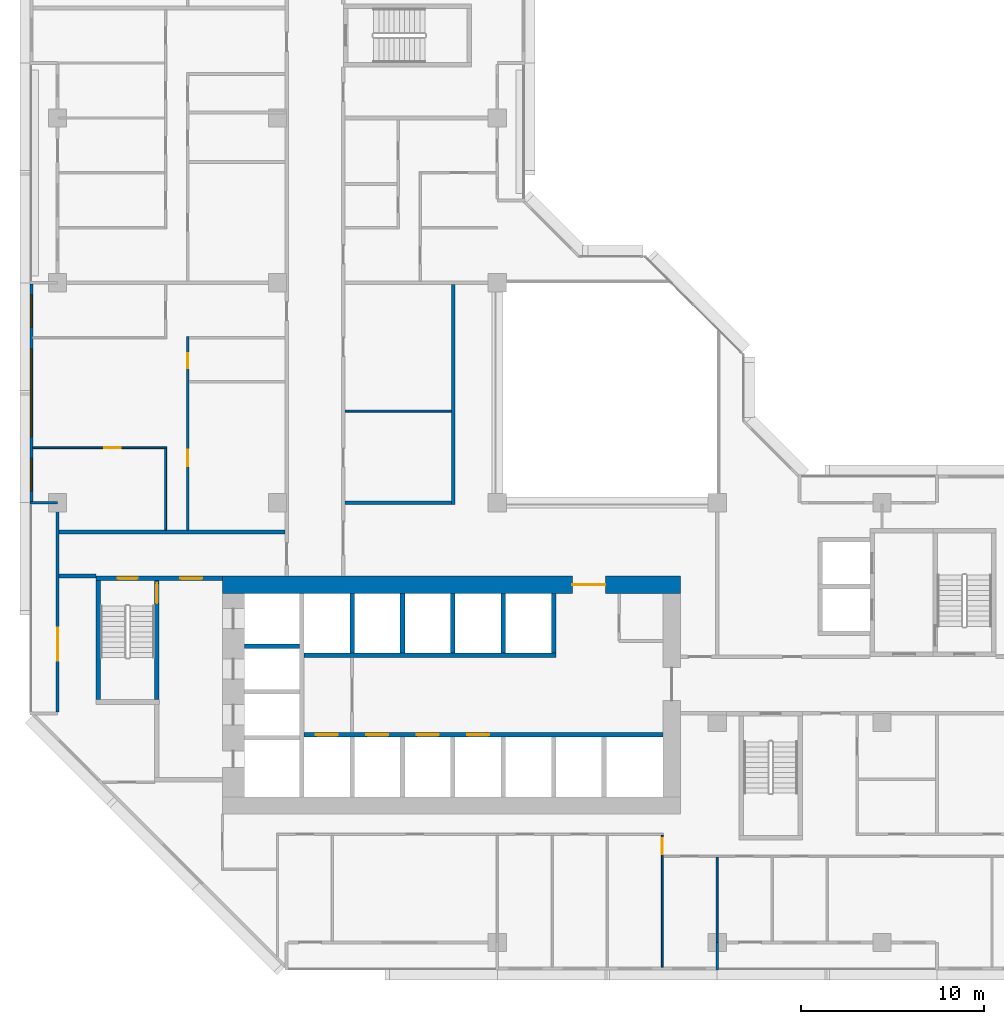
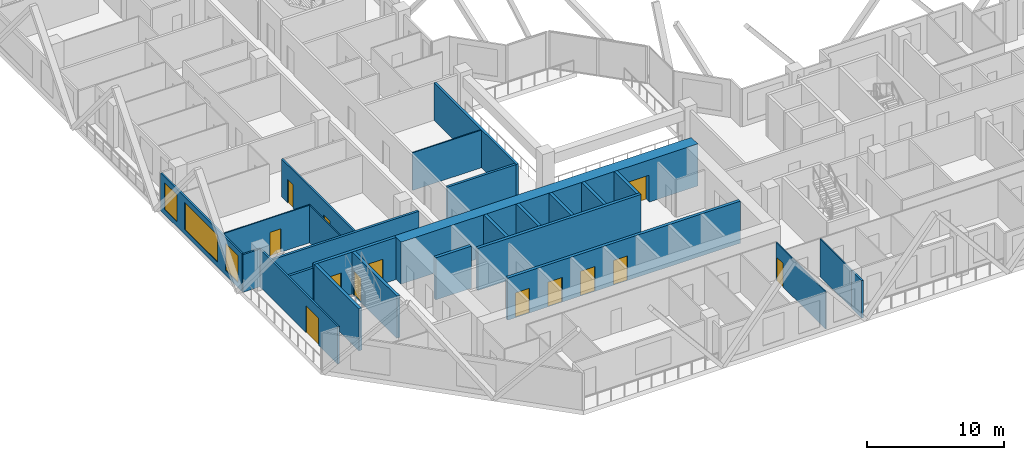
# One storey, part 5 of 16: 26 walls, 13 doors, 3 windows, 16 openings.
"""IFC4 building model written with IfcOpenShell, lengths in metres."""

from ifc_helpers import new_model, si_unit, direction, frame, frame_2d, origin, place, context, subcontext, project, spatial, rectangle, extrude, material, layer, layer_set, type_object, element, fill, save


model = new_model("IFC4")

# Units and contexts
model_context = context("Model", 3, precision=1e-05, world=origin(), true_north=direction((0.0, 1.0)))
body_context = subcontext(model_context, "Body", "Model", "MODEL_VIEW")
ifc_project = project(units=[si_unit("LENGTHUNIT", "METRE"), si_unit("AREAUNIT", "SQUARE_METRE"), si_unit("VOLUMEUNIT", "CUBIC_METRE"), si_unit("PLANEANGLEUNIT", "RADIAN"), si_unit("MASSUNIT", "GRAM", prefix="KILO")], contexts=[model_context])

# Site, building, storey
site_placement = place(None, origin())
site = spatial("IfcSite", under=ifc_project, at=site_placement, CompositionType="ELEMENT")
building_placement = place(site_placement, origin())
building = spatial("IfcBuilding", under=site, at=building_placement, Name="Chenar Terraces", CompositionType="ELEMENT")
storey_placement = place(building_placement, frame((0.0, 0.0, 99.39990234375)))
storey = spatial("IfcBuildingStorey", under=building, at=storey_placement, Name="L22", CompositionType="ELEMENT", Elevation=99.39990234375)

# Wall, openings, doors
ifc_material_1 = material(Name="Concrete C70/85", Category="concrete")
ifc_layer_1 = layer(ifc_material_1, 0.25)
ifc_layer_set_1 = layer_set([ifc_layer_1], Name="Concrete C70/85")
wall_type_1 = type_object("IfcWallType", Name="Core wall 250 Concrete C70/85", PredefinedType="SHEAR", material=ifc_layer_set_1)
wall_1_placement = place(storey_placement, frame((13.449951171875, 11.324951171875, 0.0), z_axis=(0.0, 0.0, 1.0), x_axis=(1.0, 0.0, 0.0)))
wall_1 = element("IfcWall", 1, at=wall_1_placement, inside=storey, type_object=wall_type_1, Name="Core wall SF L22", PredefinedType="SHEAR", context=body_context, shape_type="SweptSolid", body=[
    extrude(rectangle(XDim=19.60009765625, YDim=0.25, at=frame_2d((9.800048828125, 0.0))), origin(), (0.0, 0.0, 1.0), 3.75),
])
opening_1_placement = place(wall_1_placement, frame((0.64990234375, 0.0, 0.0)))
opening_1 = element("IfcOpeningElement", 2, at=opening_1_placement, cuts=wall_1, Name="Opening DL22-LD1", PredefinedType="OPENING", context=body_context, shape_type="SweptSolid", body=[
    extrude(rectangle(XDim=1.199951171875, YDim=2.199951171875, at=frame_2d((0.60009765625, 1.10009765625))), frame((0.0, 0.135009765625, 0.0), z_axis=(0.0, -1.0, 0.0), x_axis=(1.0, 0.0, 0.0)), (0.0, 0.0, 1.0), 0.27001953125),
])
opening_2_placement = place(wall_1_placement, frame((3.39990234375, 0.0, 0.0)))
opening_2 = element("IfcOpeningElement", 3, at=opening_2_placement, cuts=wall_1, Name="Opening DL22-LD2", PredefinedType="OPENING", context=body_context, shape_type="SweptSolid", body=[
    extrude(rectangle(XDim=1.199951171875, YDim=2.199951171875, at=frame_2d((0.60009765625, 1.10009765625))), frame((0.0, 0.135009765625, 0.0), z_axis=(0.0, -1.0, 0.0), x_axis=(1.0, 0.0, 0.0)), (0.0, 0.0, 1.0), 0.27001953125),
])
opening_3_placement = place(wall_1_placement, frame((6.14990234375, 0.0, 0.0)))
opening_3 = element("IfcOpeningElement", 4, at=opening_3_placement, cuts=wall_1, Name="Opening DL22-LD3", PredefinedType="OPENING", context=body_context, shape_type="SweptSolid", body=[
    extrude(rectangle(XDim=1.199951171875, YDim=2.199951171875, at=frame_2d((0.60009765625, 1.10009765625))), frame((0.0, 0.135009765625, 0.0), z_axis=(0.0, -1.0, 0.0), x_axis=(1.0, 0.0, 0.0)), (0.0, 0.0, 1.0), 0.27001953125),
])
opening_4_placement = place(wall_1_placement, frame((8.89990234375, 0.0, 0.0)))
opening_4 = element("IfcOpeningElement", 5, at=opening_4_placement, cuts=wall_1, Name="Opening DL22-LD4", PredefinedType="OPENING", context=body_context, shape_type="SweptSolid", body=[
    extrude(rectangle(XDim=1.199951171875, YDim=2.199951171875, at=frame_2d((0.60009765625, 1.10009765625))), frame((0.0, 0.135009765625, 0.0), z_axis=(0.0, -1.0, 0.0), x_axis=(1.0, 0.0, 0.0)), (0.0, 0.0, 1.0), 0.27001953125),
])
ifc_material_2 = material(Name="Stainless steel", Category="steel")
door_type_1 = type_object("IfcDoorType", Name="Lift landing door 1200 x 2200 sliding", OperationType="DOUBLE_DOOR_SLIDING", PredefinedType="DOOR", material=ifc_material_2)
door_1_placement = place(opening_1_placement, origin())
door_1 = element("IfcDoor", 6, at=door_1_placement, inside=storey, type_object=door_type_1, Name="Landing door L1", OperationType="DOUBLE_DOOR_SLIDING", OverallHeight=2.199951171875, OverallWidth=1.199951171875, PredefinedType="DOOR", context=body_context, shape_type="SweptSolid", body=[
    extrude(rectangle(XDim=1.199951171875, YDim=2.199951171875, at=frame_2d((0.60009765625, 1.10009765625))), frame((0.0, 0.02490234375, 0.0), z_axis=(0.0, -1.0, 0.0), x_axis=(1.0, 0.0, 0.0)), (0.0, 0.0, 1.0), 0.050048828125),
])
fill(opening_1, door_1)
door_2_placement = place(opening_2_placement, origin())
door_2 = element("IfcDoor", 7, at=door_2_placement, inside=storey, type_object=door_type_1, Name="Landing door L2", OperationType="DOUBLE_DOOR_SLIDING", OverallHeight=2.199951171875, OverallWidth=1.199951171875, PredefinedType="DOOR", context=body_context, shape_type="SweptSolid", body=[
    extrude(rectangle(XDim=1.199951171875, YDim=2.199951171875, at=frame_2d((0.60009765625, 1.10009765625))), frame((0.0, 0.02490234375, 0.0), z_axis=(0.0, -1.0, 0.0), x_axis=(1.0, 0.0, 0.0)), (0.0, 0.0, 1.0), 0.050048828125),
])
fill(opening_2, door_2)
door_3_placement = place(opening_3_placement, origin())
door_3 = element("IfcDoor", 8, at=door_3_placement, inside=storey, type_object=door_type_1, Name="Landing door L3", OperationType="DOUBLE_DOOR_SLIDING", OverallHeight=2.199951171875, OverallWidth=1.199951171875, PredefinedType="DOOR", context=body_context, shape_type="SweptSolid", body=[
    extrude(rectangle(XDim=1.199951171875, YDim=2.199951171875, at=frame_2d((0.60009765625, 1.10009765625))), frame((0.0, 0.02490234375, 0.0), z_axis=(0.0, -1.0, 0.0), x_axis=(1.0, 0.0, 0.0)), (0.0, 0.0, 1.0), 0.050048828125),
])
fill(opening_3, door_3)
door_4_placement = place(opening_4_placement, origin())
door_4 = element("IfcDoor", 9, at=door_4_placement, inside=storey, type_object=door_type_1, Name="Landing door L4", OperationType="DOUBLE_DOOR_SLIDING", OverallHeight=2.199951171875, OverallWidth=1.199951171875, PredefinedType="DOOR", context=body_context, shape_type="SweptSolid", body=[
    extrude(rectangle(XDim=1.199951171875, YDim=2.199951171875, at=frame_2d((0.60009765625, 1.10009765625))), frame((0.0, 0.02490234375, 0.0), z_axis=(0.0, -1.0, 0.0), x_axis=(1.0, 0.0, 0.0)), (0.0, 0.0, 1.0), 0.050048828125),
])
fill(opening_4, door_4)

# Walls
wall_2_placement = place(storey_placement, frame((13.449951171875, 15.675048828125, 0.0), z_axis=(0.0, 0.0, 1.0), x_axis=(1.0, 0.0, 0.0)))
element("IfcWall", 10, at=wall_2_placement, inside=storey, type_object=wall_type_1, Name="Core wall NF L22", PredefinedType="SHEAR", context=body_context, shape_type="SweptSolid", body=[
    extrude(rectangle(XDim=13.75, YDim=0.25, at=frame_2d((6.875, 0.0))), origin(), (0.0, 0.0, 1.0), 3.75),
])
wall_3_placement = place(storey_placement, frame((10.199951171875, 16.175048828125, 0.0), z_axis=(0.0, 0.0, 1.0), x_axis=(1.0, 0.0, 0.0)))
element("IfcWall", 11, at=wall_3_placement, inside=storey, type_object=wall_type_1, Name="Core wall HW2 L22", PredefinedType="SHEAR", context=body_context, shape_type="SweptSolid", body=[
    extrude(rectangle(XDim=3.0, YDim=0.25, at=frame_2d((1.5, 0.0))), origin(), (0.0, 0.0, 1.0), 3.75),
])
for number, where, z_axis, x_axis, name in (
    (12, (16.074951171875, 15.800048828125, 0.0), (0.0, 0.0, 1.0), (0.0, 1.0, 0.0), "Core wall NS0 L22"),
    (13, (18.824951171875, 15.800048828125, 0.0), (0.0, 0.0, 1.0), (0.0, 1.0, 0.0), "Core wall NS1 L22"),
    (14, (21.574951171875, 15.800048828125, 0.0), (0.0, 0.0, 1.0), (0.0, 1.0, 0.0), "Core wall NS2 L22"),
    (15, (24.324951171875, 15.800048828125, 0.0), (0.0, 0.0, 1.0), (0.0, 1.0, 0.0), "Core wall NS3 L22"),
    (16, (27.074951171875, 15.800048828125, 0.0), (0.0, 0.0, 1.0), (0.0, 1.0, 0.0), "Core wall NE L22"),
):
    element("IfcWall", number, at=place(storey_placement, frame(where, z_axis=z_axis, x_axis=x_axis)), inside=storey, type_object=wall_type_1, Name=name, PredefinedType="SHEAR", context=body_context, shape_type="SweptSolid", body=[
        extrude(rectangle(XDim=3.25, YDim=0.25, at=frame_2d((1.625, 0.0))), origin(), (0.0, 0.0, 1.0), 3.75),
    ])

# Wall, openings, doors
wall_4_placement = place(storey_placement, frame((2.10009765625, 19.875, 0.0), z_axis=(0.0, 0.0, 1.0), x_axis=(1.0, 0.0, 0.0)))
wall_4 = element("IfcWall", 17, at=wall_4_placement, inside=storey, type_object=wall_type_1, Name="Core wall A_N L22", PredefinedType="SHEAR", context=body_context, shape_type="SweptSolid", body=[
    extrude(rectangle(XDim=6.89990234375, YDim=0.25, at=frame_2d((3.449951171875, 0.0))), origin(), (0.0, 0.0, 1.0), 3.75),
])
opening_5_placement = place(wall_4_placement, frame((1.175048828125, 0.0, 0.0)))
opening_5 = element("IfcOpeningElement", 18, at=opening_5_placement, cuts=wall_4, Name="Opening DL22-C5", PredefinedType="OPENING", context=body_context, shape_type="SweptSolid", body=[
    extrude(rectangle(XDim=1.10009765625, YDim=2.199951171875, at=frame_2d((0.550048828125, 1.10009765625))), frame((0.0, 0.135009765625, 0.0), z_axis=(0.0, -1.0, 0.0), x_axis=(1.0, 0.0, 0.0)), (0.0, 0.0, 1.0), 0.27001953125),
])
opening_6_placement = place(wall_4_placement, frame((4.60009765625, 0.0, 0.0)))
opening_6 = element("IfcOpeningElement", 19, at=opening_6_placement, cuts=wall_4, Name="Opening DL22-C6", PredefinedType="OPENING", context=body_context, shape_type="SweptSolid", body=[
    extrude(rectangle(XDim=1.199951171875, YDim=2.199951171875, at=frame_2d((0.60009765625, 1.10009765625))), frame((0.0, 0.135009765625, 0.0), z_axis=(0.0, -1.0, 0.0), x_axis=(1.0, 0.0, 0.0)), (0.0, 0.0, 1.0), 0.27001953125),
])
ifc_material_3 = material(Name="Steel-framed fire-resisting door leaf", Category="steel")
door_type_2 = type_object("IfcDoorType", Name="Lobby fire door FD60 1200 x 2200", OperationType="SINGLE_SWING_LEFT", PredefinedType="DOOR", material=ifc_material_3)
door_5_placement = place(opening_6_placement, frame((1.199951171875, 0.0, 0.0), z_axis=(0.0, 0.0, 1.0), x_axis=(-1.0, 0.0, 0.0)))
door_5 = element("IfcDoor", 20, at=door_5_placement, inside=storey, type_object=door_type_2, Name="Core door DL22-C6", OperationType="SINGLE_SWING_LEFT", OverallHeight=2.199951171875, OverallWidth=1.199951171875, PredefinedType="DOOR", context=body_context, shape_type="SweptSolid", body=[
    extrude(rectangle(XDim=1.199951171875, YDim=2.199951171875, at=frame_2d((0.60009765625, 1.10009765625))), frame((0.0, 0.02490234375, 0.0), z_axis=(0.0, -1.0, 0.0), x_axis=(1.0, 0.0, 0.0)), (0.0, 0.0, 1.0), 0.050048828125),
])
fill(opening_6, door_5)
ifc_material_4 = material(Name="Steel-framed fire-resisting door leaf", Category="steel")
door_type_3 = type_object("IfcDoorType", Name="Stair fire door FD60 1100 x 2200", OperationType="SINGLE_SWING_LEFT", PredefinedType="DOOR", material=ifc_material_4)
door_6_placement = place(opening_5_placement, origin())
door_6 = element("IfcDoor", 21, at=door_6_placement, inside=storey, type_object=door_type_3, Name="Stair door DL22-C5", OperationType="SINGLE_SWING_LEFT", OverallHeight=2.199951171875, OverallWidth=1.10009765625, PredefinedType="DOOR", context=body_context, shape_type="SweptSolid", body=[
    extrude(rectangle(XDim=1.10009765625, YDim=2.199951171875, at=frame_2d((0.550048828125, 1.10009765625))), frame((0.0, 0.02490234375, 0.0), z_axis=(0.0, -1.0, 0.0), x_axis=(1.0, 0.0, 0.0)), (0.0, 0.0, 1.0), 0.050048828125),
])
fill(opening_5, door_6)

# Wall
wall_5_placement = place(storey_placement, frame((2.22509765625, 13.25, 0.0), z_axis=(0.0, 0.0, 1.0), x_axis=(0.0, 1.0, 0.0)))
element("IfcWall", 22, at=wall_5_placement, inside=storey, type_object=wall_type_1, Name="Core wall ST1_W L22", PredefinedType="SHEAR", context=body_context, shape_type="SweptSolid", body=[
    extrude(rectangle(XDim=6.5, YDim=0.25, at=frame_2d((3.25, 0.0))), origin(), (0.0, 0.0, 1.0), 3.75),
])

# Wall, opening, door
wall_6_placement = place(storey_placement, frame((5.425048828125, 13.25, 0.0), z_axis=(0.0, 0.0, 1.0), x_axis=(0.0, 1.0, 0.0)))
wall_6 = element("IfcWall", 23, at=wall_6_placement, inside=storey, type_object=wall_type_1, Name="Core wall ST1_E L22", PredefinedType="SHEAR", context=body_context, shape_type="SweptSolid", body=[
    extrude(rectangle(XDim=6.5, YDim=0.25, at=frame_2d((3.25, 0.0))), origin(), (0.0, 0.0, 1.0), 3.75),
])
opening_7_placement = place(wall_6_placement, frame((5.25, 0.0, 0.0)))
opening_7 = element("IfcOpeningElement", 24, at=opening_7_placement, cuts=wall_6, Name="Opening DL22-C3", PredefinedType="OPENING", context=body_context, shape_type="SweptSolid", body=[
    extrude(rectangle(XDim=1.10009765625, YDim=2.199951171875, at=frame_2d((0.550048828125, 1.10009765625))), frame((0.0, 0.135009765625, 0.0), z_axis=(0.0, -1.0, 0.0), x_axis=(1.0, 0.0, 0.0)), (0.0, 0.0, 1.0), 0.27001953125),
])
door_7_placement = place(opening_7_placement, origin())
door_7 = element("IfcDoor", 25, at=door_7_placement, inside=storey, type_object=door_type_3, Name="Stair door DL22-C3", OperationType="SINGLE_SWING_RIGHT", OverallHeight=2.199951171875, OverallWidth=1.10009765625, PredefinedType="DOOR", context=body_context, shape_type="SweptSolid", body=[
    extrude(rectangle(XDim=1.10009765625, YDim=2.199951171875, at=frame_2d((0.550048828125, 1.10009765625))), frame((0.0, 0.02490234375, 0.0), z_axis=(0.0, -1.0, 0.0), x_axis=(1.0, 0.0, 0.0)), (0.0, 0.0, 1.0), 0.050048828125),
])
fill(opening_7, door_7)

ifc_material_5 = material(Name="Concrete C70/85", Category="concrete")
ifc_layer_2 = layer(ifc_material_5, 0.949951171875)
ifc_layer_set_2 = layer_set([ifc_layer_2], Name="Concrete C70/85")
wall_type_2 = type_object("IfcWallType", Name="Core wall 950 Concrete C70/85", PredefinedType="SHEAR", material=ifc_layer_set_2)
wall_7_placement = place(storey_placement, frame((9.0, 19.52490234375, 0.0), z_axis=(0.0, 0.0, 1.0), x_axis=(1.0, 0.0, 0.0)))
wall_7 = element("IfcWall", 26, at=wall_7_placement, inside=storey, type_object=wall_type_2, Name="Core wall N L22", PredefinedType="SHEAR", context=body_context, shape_type="SweptSolid", body=[
    extrude(rectangle(XDim=25.0, YDim=0.949951171875, at=frame_2d((12.5, 0.0))), origin(), (0.0, 0.0, 1.0), 3.75),
])
opening_8_placement = place(wall_7_placement, frame((19.10009765625, 0.0, 0.0)))
opening_8 = element("IfcOpeningElement", 27, at=opening_8_placement, cuts=wall_7, Name="Opening DL22-C2", PredefinedType="OPENING", context=body_context, shape_type="SweptSolid", body=[
    extrude(rectangle(XDim=1.800048828125, YDim=2.39990234375, at=frame_2d((0.89990234375, 1.199951171875))), frame((0.0, 0.48486328125, 0.0), z_axis=(0.0, -1.0, 0.0), x_axis=(1.0, 0.0, 0.0)), (0.0, 0.0, 1.0), 0.969970703125),
])
ifc_material_6 = material(Name="Steel-framed fire-resisting door leaf", Category="steel")
door_type_4 = type_object("IfcDoorType", Name="Core entrance double fire door FD60 1800 x 2400", OperationType="DOUBLE_DOOR_SINGLE_SWING", PredefinedType="DOOR", material=ifc_material_6)
door_8_placement = place(opening_8_placement, frame((1.800048828125, 0.0, 0.0), z_axis=(0.0, 0.0, 1.0), x_axis=(-1.0, 0.0, 0.0)))
door_8 = element("IfcDoor", 28, at=door_8_placement, inside=storey, type_object=door_type_4, Name="Core door DL22-C2", OperationType="DOUBLE_DOOR_SINGLE_SWING", OverallHeight=2.39990234375, OverallWidth=1.800048828125, PredefinedType="DOOR", context=body_context, shape_type="SweptSolid", body=[
    extrude(rectangle(XDim=1.800048828125, YDim=2.39990234375, at=frame_2d((0.89990234375, 1.199951171875))), frame((0.0, 0.02490234375, 0.0), z_axis=(0.0, -1.0, 0.0), x_axis=(1.0, 0.0, 0.0)), (0.0, 0.0, 1.0), 0.050048828125),
])
fill(opening_8, door_8)

# Walls
ifc_material_7 = material(Name="Gypsum board on steel studs with fire boards", Category="steel")
ifc_layer_3 = layer(ifc_material_7, 0.199951171875)
ifc_layer_set_3 = layer_set([ifc_layer_3], Name="Gypsum board on steel studs with fire boards")
wall_type_3 = type_object("IfcWallType", Name="Corridor wall 200", PredefinedType="PARTITIONING", material=ifc_layer_set_3)
wall_8_placement = place(storey_placement, frame((0.073974609375, 20.0, 0.0), z_axis=(0.0, 0.0, 1.0), x_axis=(1.0, 0.0, 0.0)))
element("IfcWall", 29, at=wall_8_placement, inside=storey, type_object=wall_type_3, Name="Partition L22-008", PredefinedType="PARTITIONING", context=body_context, shape_type="SweptSolid", body=[
    extrude(rectangle(XDim=2.026123046875, YDim=0.199951171875, at=frame_2d((1.01318359375, 0.0))), origin(), (0.0, 0.0, 1.0), 3.35009765625),
])
wall_9_placement = place(storey_placement, frame((0.073974609375, 22.39990234375, 0.0), z_axis=(0.0, 0.0, 1.0), x_axis=(1.0, 0.0, 0.0)))
element("IfcWall", 30, at=wall_9_placement, inside=storey, type_object=wall_type_3, Name="Partition L22-009", PredefinedType="PARTITIONING", context=body_context, shape_type="SweptSolid", body=[
    extrude(rectangle(XDim=12.325927734375, YDim=0.199951171875, at=frame_2d((6.1630859375, 0.0))), origin(), (0.0, 0.0, 1.0), 3.35009765625),
])
wall_10_placement = place(storey_placement, frame((15.699951171875, 24.0, 0.0), z_axis=(0.0, 0.0, 1.0), x_axis=(1.0, 0.0, 0.0)))
element("IfcWall", 31, at=wall_10_placement, inside=storey, type_object=wall_type_3, Name="Partition L22-038", PredefinedType="PARTITIONING", context=body_context, shape_type="SweptSolid", body=[
    extrude(rectangle(XDim=5.800048828125, YDim=0.199951171875, at=frame_2d((2.89990234375, 0.0))), origin(), (0.0, 0.0, 1.0), 3.35009765625),
])
wall_11_placement = place(storey_placement, frame((21.60009765625, 23.89990234375, 0.0), z_axis=(0.0, 0.0, 1.0), x_axis=(0.0, 1.0, 0.0)))
element("IfcWall", 32, at=wall_11_placement, inside=storey, type_object=wall_type_3, Name="Partition L22-055", PredefinedType="PARTITIONING", context=body_context, shape_type="SweptSolid", body=[
    extrude(rectangle(XDim=12.0, YDim=0.199951171875, at=frame_2d((6.0, 0.0))), origin(), (0.0, 0.0, 1.0), 3.35009765625),
])

# Wall, openings, windows
ifc_material_8 = material(Name="Aluminium framed glazing", Category="aluminium")
ifc_layer_4 = layer(ifc_material_8, 0.14990234375)
ifc_layer_set_4 = layer_set([ifc_layer_4], Name="Aluminium framed glazing")
wall_type_4 = type_object("IfcWallType", Name="Glazed flush facade wall 150", PredefinedType="SOLIDWALL", material=ifc_layer_set_4)
wall_12_placement = place(storey_placement, frame((-1.425048828125, 35.925048828125, 0.0), z_axis=(0.0, 0.0, 1.0), x_axis=(0.0, -1.0, 0.0)))
wall_12 = element("IfcWall", 33, at=wall_12_placement, inside=storey, type_object=wall_type_4, Name="Glazed flush facade wall", PredefinedType="SOLIDWALL", context=body_context, shape_type="SweptSolid", body=[
    extrude(rectangle(XDim=11.85009765625, YDim=0.14990234375, at=frame_2d((5.925048828125, 0.0))), origin(), (0.0, 0.0, 1.0), 3.35009765625),
])
opening_9_placement = place(wall_12_placement, frame((0.5625, 0.0, 0.449951171875)))
opening_9 = element("IfcOpeningElement", 34, at=opening_9_placement, cuts=wall_12, Name="Opening W180x240", PredefinedType="OPENING", context=body_context, shape_type="SweptSolid", body=[
    extrude(rectangle(XDim=1.800048828125, YDim=2.39990234375, at=frame_2d((0.89990234375, 1.199951171875))), frame((0.0, 0.0849609375, 0.0), z_axis=(0.0, -1.0, 0.0), x_axis=(1.0, 0.0, 0.0)), (0.0, 0.0, 1.0), 0.169921875),
])
opening_10_placement = place(wall_12_placement, frame((3.52490234375, 0.0, 0.449951171875)))
opening_10 = element("IfcOpeningElement", 35, at=opening_10_placement, cuts=wall_12, Name="Opening W480x240", PredefinedType="OPENING", context=body_context, shape_type="SweptSolid", body=[
    extrude(rectangle(XDim=4.800048828125, YDim=2.39990234375, at=frame_2d((2.39990234375, 1.199951171875))), frame((0.0, 0.0849609375, 0.0), z_axis=(0.0, -1.0, 0.0), x_axis=(1.0, 0.0, 0.0)), (0.0, 0.0, 1.0), 0.169921875),
])
opening_11_placement = place(wall_12_placement, frame((9.487548828125, 0.0, 0.449951171875)))
opening_11 = element("IfcOpeningElement", 36, at=opening_11_placement, cuts=wall_12, Name="Opening W180x240", PredefinedType="OPENING", context=body_context, shape_type="SweptSolid", body=[
    extrude(rectangle(XDim=1.800048828125, YDim=2.39990234375, at=frame_2d((0.89990234375, 1.199951171875))), frame((0.0, 0.0849609375, 0.0), z_axis=(0.0, -1.0, 0.0), x_axis=(1.0, 0.0, 0.0)), (0.0, 0.0, 1.0), 0.169921875),
])
ifc_material_9 = material(Name="Low emissivity double glazing, aluminium frame", Category="aluminium")
window_type_1 = type_object("IfcWindowType", Name="Fixed light 1800 x 2400", PartitioningType="SINGLE_PANEL", PredefinedType="WINDOW", material=ifc_material_9)
window_1_placement = place(opening_9_placement, origin())
window_1 = element("IfcWindow", 37, at=window_1_placement, inside=storey, type_object=window_type_1, Name="Window", OverallHeight=2.39990234375, OverallWidth=1.800048828125, PartitioningType="SINGLE_PANEL", PredefinedType="WINDOW", context=body_context, shape_type="SweptSolid", body=[
    extrude(rectangle(XDim=1.800048828125, YDim=2.39990234375, at=frame_2d((0.89990234375, 1.199951171875))), frame((0.0, 0.030029296875, 0.0), z_axis=(0.0, -1.0, 0.0), x_axis=(1.0, 0.0, 0.0)), (0.0, 0.0, 1.0), 0.06005859375),
])
fill(opening_9, window_1)
window_2_placement = place(opening_11_placement, origin())
window_2 = element("IfcWindow", 38, at=window_2_placement, inside=storey, type_object=window_type_1, Name="Window", OverallHeight=2.39990234375, OverallWidth=1.800048828125, PartitioningType="SINGLE_PANEL", PredefinedType="WINDOW", context=body_context, shape_type="SweptSolid", body=[
    extrude(rectangle(XDim=1.800048828125, YDim=2.39990234375, at=frame_2d((0.89990234375, 1.199951171875))), frame((0.0, 0.030029296875, 0.0), z_axis=(0.0, -1.0, 0.0), x_axis=(1.0, 0.0, 0.0)), (0.0, 0.0, 1.0), 0.06005859375),
])
fill(opening_11, window_2)
ifc_material_10 = material(Name="Low emissivity double glazing, aluminium frame", Category="aluminium")
window_type_2 = type_object("IfcWindowType", Name="Fixed light 4800 x 2400", PartitioningType="SINGLE_PANEL", PredefinedType="WINDOW", material=ifc_material_10)
window_3_placement = place(opening_10_placement, origin())
window_3 = element("IfcWindow", 39, at=window_3_placement, inside=storey, type_object=window_type_2, Name="Window", OverallHeight=2.39990234375, OverallWidth=4.800048828125, PartitioningType="SINGLE_PANEL", PredefinedType="WINDOW", context=body_context, shape_type="SweptSolid", body=[
    extrude(rectangle(XDim=4.800048828125, YDim=2.39990234375, at=frame_2d((2.39990234375, 1.199951171875))), frame((0.0, 0.030029296875, 0.0), z_axis=(0.0, -1.0, 0.0), x_axis=(1.0, 0.0, 0.0)), (0.0, 0.0, 1.0), 0.06005859375),
])
fill(opening_10, window_3)

# Wall, opening, door
ifc_material_11 = material(Name="Aluminium framed glazing", Category="aluminium")
ifc_layer_5 = layer(ifc_material_11, 0.14990234375)
ifc_layer_set_5 = layer_set([ifc_layer_5], Name="Aluminium framed glazing")
wall_type_5 = type_object("IfcWallType", Name="Glazed loggia back wall 150", PredefinedType="SOLIDWALL", material=ifc_layer_set_5)
wall_13_placement = place(storey_placement, frame((0.0, 23.925048828125, 0.0), z_axis=(0.0, 0.0, 1.0), x_axis=(0.0, -1.0, 0.0)))
wall_13 = element("IfcWall", 40, at=wall_13_placement, inside=storey, type_object=wall_type_5, Name="Glazed loggia back wall", PredefinedType="SOLIDWALL", context=body_context, shape_type="SweptSolid", body=[
    extrude(rectangle(XDim=11.35009765625, YDim=0.14990234375, at=frame_2d((5.675048828125, 0.0))), origin(), (0.0, 0.0, 1.0), 3.35009765625),
])
opening_12_placement = place(wall_13_placement, frame((6.737548828125, 0.0, 0.0)))
opening_12 = element("IfcOpeningElement", 41, at=opening_12_placement, cuts=wall_13, Name="Opening DL22-G5", PredefinedType="OPENING", context=body_context, shape_type="SweptSolid", body=[
    extrude(rectangle(XDim=1.800048828125, YDim=2.39990234375, at=frame_2d((0.89990234375, 1.199951171875))), frame((0.0, 0.0849609375, 0.0), z_axis=(0.0, -1.0, 0.0), x_axis=(1.0, 0.0, 0.0)), (0.0, 0.0, 1.0), 0.169921875),
])
ifc_material_12 = material(Name="Low emissivity double glazing, aluminium frame", Category="aluminium")
door_type_5 = type_object("IfcDoorType", Name="Loggia glazed double door 1800 x 2400", OperationType="DOUBLE_DOOR_SINGLE_SWING", PredefinedType="DOOR", material=ifc_material_12)
door_9_placement = place(opening_12_placement, frame((1.800048828125, 0.0, 0.0), z_axis=(0.0, 0.0, 1.0), x_axis=(-1.0, 0.0, 0.0)))
door_9 = element("IfcDoor", 42, at=door_9_placement, inside=storey, type_object=door_type_5, Name="Loggia glazed door", OperationType="DOUBLE_DOOR_SINGLE_SWING", OverallHeight=2.39990234375, OverallWidth=1.800048828125, PredefinedType="DOOR", context=body_context, shape_type="SweptSolid", body=[
    extrude(rectangle(XDim=1.800048828125, YDim=2.39990234375, at=frame_2d((0.89990234375, 1.199951171875))), frame((0.0, 0.02490234375, 0.0), z_axis=(0.0, -1.0, 0.0), x_axis=(1.0, 0.0, 0.0)), (0.0, 0.0, 1.0), 0.050048828125),
])
fill(opening_12, door_9)

ifc_material_13 = material(Name="Gypsum board on steel studs", Category="steel")
ifc_layer_6 = layer(ifc_material_13, 0.10009765625)
ifc_layer_set_6 = layer_set([ifc_layer_6], Name="Gypsum board on steel studs")
wall_type_6 = type_object("IfcWallType", Name="Gypsum partition 100", PredefinedType="PARTITIONING", material=ifc_layer_set_6)
wall_14_placement = place(storey_placement, frame((-1.35009765625, 27.0, 0.0), z_axis=(0.0, 0.0, 1.0), x_axis=(1.0, 0.0, 0.0)))
wall_14 = element("IfcWall", 43, at=wall_14_placement, inside=storey, type_object=wall_type_6, Name="Partition L22-001", PredefinedType="PARTITIONING", context=body_context, shape_type="SweptSolid", body=[
    extrude(rectangle(XDim=7.300048828125, YDim=0.10009765625, at=frame_2d((3.64990234375, 0.0))), origin(), (0.0, 0.0, 1.0), 3.35009765625),
])
opening_13_placement = place(wall_14_placement, frame((3.89990234375, 0.0, 0.0)))
opening_13 = element("IfcOpeningElement", 44, at=opening_13_placement, cuts=wall_14, Name="Opening DL22-70", PredefinedType="OPENING", context=body_context, shape_type="SweptSolid", body=[
    extrude(rectangle(XDim=0.89990234375, YDim=2.10009765625, at=frame_2d((0.449951171875, 1.050048828125))), frame((0.0, 0.06005859375, 0.0), z_axis=(0.0, -1.0, 0.0), x_axis=(1.0, 0.0, 0.0)), (0.0, 0.0, 1.0), 0.1201171875),
])
ifc_material_14 = material(Name="Veneered timber door leaf", Category="wood")
door_type_6 = type_object("IfcDoorType", Name="Door 900 x 2100", OperationType="SINGLE_SWING_LEFT", PredefinedType="DOOR", material=ifc_material_14)
door_10_placement = place(opening_13_placement, frame((0.89990234375, 0.0, 0.0), z_axis=(0.0, 0.0, 1.0), x_axis=(-1.0, 0.0, 0.0)))
door_10 = element("IfcDoor", 45, at=door_10_placement, inside=storey, type_object=door_type_6, Name="Door DL22-70", OperationType="SINGLE_SWING_RIGHT", OverallHeight=2.10009765625, OverallWidth=0.89990234375, PredefinedType="DOOR", context=body_context, shape_type="SweptSolid", body=[
    extrude(rectangle(XDim=0.89990234375, YDim=2.10009765625, at=frame_2d((0.449951171875, 1.050048828125))), frame((0.0, 0.02490234375, 0.0), z_axis=(0.0, -1.0, 0.0), x_axis=(1.0, 0.0, 0.0)), (0.0, 0.0, 1.0), 0.050048828125),
])
fill(opening_13, door_10)

# Walls
wall_15_placement = place(storey_placement, frame((5.89990234375, 22.5, 0.0), z_axis=(0.0, 0.0, 1.0), x_axis=(0.0, 1.0, 0.0)))
element("IfcWall", 46, at=wall_15_placement, inside=storey, type_object=wall_type_6, Name="Partition L22-014", PredefinedType="PARTITIONING", context=body_context, shape_type="SweptSolid", body=[
    extrude(rectangle(XDim=4.449951171875, YDim=0.10009765625, at=frame_2d((2.22509765625, 0.0))), origin(), (0.0, 0.0, 1.0), 3.35009765625),
])
wall_16_placement = place(storey_placement, frame((15.699951171875, 29.0, 0.0), z_axis=(0.0, 0.0, 1.0), x_axis=(1.0, 0.0, 0.0)))
element("IfcWall", 47, at=wall_16_placement, inside=storey, type_object=wall_type_6, Name="Partition L22-039", PredefinedType="PARTITIONING", context=body_context, shape_type="SweptSolid", body=[
    extrude(rectangle(XDim=5.800048828125, YDim=0.10009765625, at=frame_2d((2.89990234375, 0.0))), origin(), (0.0, 0.0, 1.0), 3.35009765625),
])

# Wall, opening, door
wall_17_placement = place(storey_placement, frame((33.0, -1.35107421875, 0.0), z_axis=(0.0, 0.0, 1.0), x_axis=(0.0, 1.0, 0.0)))
wall_17 = element("IfcWall", 48, at=wall_17_placement, inside=storey, type_object=wall_type_6, Name="Partition L22-059", PredefinedType="PARTITIONING", context=body_context, shape_type="SweptSolid", body=[
    extrude(rectangle(XDim=7.201171875, YDim=0.10009765625, at=frame_2d((3.6005859375, 0.0))), origin(), (0.0, 0.0, 1.0), 3.35009765625),
])
opening_14_placement = place(wall_17_placement, frame((6.15087890625, 0.0, 0.0)))
opening_14 = element("IfcOpeningElement", 49, at=opening_14_placement, cuts=wall_17, Name="Opening DL22-57", PredefinedType="OPENING", context=body_context, shape_type="SweptSolid", body=[
    extrude(rectangle(XDim=0.89990234375, YDim=2.10009765625, at=frame_2d((0.449951171875, 1.050048828125))), frame((0.0, 0.06005859375, 0.0), z_axis=(0.0, -1.0, 0.0), x_axis=(1.0, 0.0, 0.0)), (0.0, 0.0, 1.0), 0.1201171875),
])
door_11_placement = place(opening_14_placement, origin())
door_11 = element("IfcDoor", 50, at=door_11_placement, inside=storey, type_object=door_type_6, Name="Door DL22-57", OperationType="SINGLE_SWING_RIGHT", OverallHeight=2.10009765625, OverallWidth=0.89990234375, PredefinedType="DOOR", context=body_context, shape_type="SweptSolid", body=[
    extrude(rectangle(XDim=0.89990234375, YDim=2.10009765625, at=frame_2d((0.449951171875, 1.050048828125))), frame((0.0, 0.02490234375, 0.0), z_axis=(0.0, -1.0, 0.0), x_axis=(1.0, 0.0, 0.0)), (0.0, 0.0, 1.0), 0.050048828125),
])
fill(opening_14, door_11)

# Walls
wall_18_placement = place(storey_placement, frame((36.0, 0.0, 0.0), z_axis=(0.0, 0.0, 1.0), x_axis=(0.0, 1.0, 0.0)))
element("IfcWall", 51, at=wall_18_placement, inside=storey, type_object=wall_type_6, Name="Partition L22-063", PredefinedType="PARTITIONING", context=body_context, shape_type="SweptSolid", body=[
    extrude(rectangle(XDim=4.64990234375, YDim=0.10009765625, at=frame_2d((2.324951171875, 0.0))), origin(), (0.0, 0.0, 1.0), 3.35009765625),
])
ifc_material_15 = material(Name="Terracotta cladding on insulated backing", Category="masonry")
ifc_layer_7 = layer(ifc_material_15, 0.14990234375)
ifc_layer_set_7 = layer_set([ifc_layer_7], Name="Terracotta cladding on insulated backing")
wall_type_7 = type_object("IfcWallType", Name="Loggia return wall 150", PredefinedType="SOLIDWALL", material=ifc_layer_set_7)
for number, where, z_axis, x_axis, name in (
    (52, (-1.5, 24.0, 0.0), (0.0, 0.0, 1.0), (1.0, 0.0, 0.0), "Loggia return wall"),
    (53, (36.0, -1.5, 0.0), (0.0, 0.0, 1.0), (0.0, 1.0, 0.0), "Loggia return wall"),
):
    element("IfcWall", number, at=place(storey_placement, frame(where, z_axis=z_axis, x_axis=x_axis)), inside=storey, type_object=wall_type_7, Name=name, PredefinedType="SOLIDWALL", context=body_context, shape_type="SweptSolid", body=[
        extrude(rectangle(XDim=1.5, YDim=0.14990234375, at=frame_2d((0.75, 0.0))), origin(), (0.0, 0.0, 1.0), 3.35009765625),
    ])

# Wall, openings, doors
ifc_material_16 = material(Name="Moisture-resistant gypsum board on steel studs", Category="steel")
ifc_layer_8 = layer(ifc_material_16, 0.14990234375)
ifc_layer_set_8 = layer_set([ifc_layer_8], Name="Moisture-resistant gypsum board on steel studs")
wall_type_8 = type_object("IfcWallType", Name="Wet-room partition 150", PredefinedType="PARTITIONING", material=ifc_layer_set_8)
wall_19_placement = place(storey_placement, frame((7.10009765625, 22.5, 0.0), z_axis=(0.0, 0.0, 1.0), x_axis=(0.0, 1.0, 0.0)))
wall_19 = element("IfcWall", 54, at=wall_19_placement, inside=storey, type_object=wall_type_8, Name="Partition L22-017", PredefinedType="PARTITIONING", context=body_context, shape_type="SweptSolid", body=[
    extrude(rectangle(XDim=10.574951171875, YDim=0.14990234375, at=frame_2d((5.28759765625, 0.0))), origin(), (0.0, 0.0, 1.0), 3.35009765625),
])
opening_15_placement = place(wall_19_placement, frame((8.85009765625, 0.0, 0.0)))
opening_15 = element("IfcOpeningElement", 55, at=opening_15_placement, cuts=wall_19, Name="Opening DL22-69", PredefinedType="OPENING", context=body_context, shape_type="SweptSolid", body=[
    extrude(rectangle(XDim=0.800048828125, YDim=2.10009765625, at=frame_2d((0.39990234375, 1.050048828125))), frame((0.0, 0.0849609375, 0.0), z_axis=(0.0, -1.0, 0.0), x_axis=(1.0, 0.0, 0.0)), (0.0, 0.0, 1.0), 0.169921875),
])
opening_16_placement = place(wall_19_placement, frame((3.5, 0.0, 0.0)))
opening_16 = element("IfcOpeningElement", 56, at=opening_16_placement, cuts=wall_19, Name="Opening DL22-72", PredefinedType="OPENING", context=body_context, shape_type="SweptSolid", body=[
    extrude(rectangle(XDim=0.89990234375, YDim=2.10009765625, at=frame_2d((0.449951171875, 1.050048828125))), frame((0.0, 0.0849609375, 0.0), z_axis=(0.0, -1.0, 0.0), x_axis=(1.0, 0.0, 0.0)), (0.0, 0.0, 1.0), 0.169921875),
])
ifc_material_17 = material(Name="Veneered timber door leaf", Category="wood")
door_type_7 = type_object("IfcDoorType", Name="Door 800 x 2100", OperationType="SINGLE_SWING_LEFT", PredefinedType="DOOR", material=ifc_material_17)
door_12_placement = place(opening_15_placement, frame((0.800048828125, 0.0, 0.0), z_axis=(0.0, 0.0, 1.0), x_axis=(-1.0, 0.0, 0.0)))
door_12 = element("IfcDoor", 57, at=door_12_placement, inside=storey, type_object=door_type_7, Name="Door DL22-69", OperationType="SINGLE_SWING_RIGHT", OverallHeight=2.10009765625, OverallWidth=0.800048828125, PredefinedType="DOOR", context=body_context, shape_type="SweptSolid", body=[
    extrude(rectangle(XDim=0.800048828125, YDim=2.10009765625, at=frame_2d((0.39990234375, 1.050048828125))), frame((0.0, 0.02490234375, 0.0), z_axis=(0.0, -1.0, 0.0), x_axis=(1.0, 0.0, 0.0)), (0.0, 0.0, 1.0), 0.050048828125),
])
fill(opening_15, door_12)
door_13_placement = place(opening_16_placement, frame((0.89990234375, 0.0, 0.0), z_axis=(0.0, 0.0, 1.0), x_axis=(-1.0, 0.0, 0.0)))
door_13 = element("IfcDoor", 58, at=door_13_placement, inside=storey, type_object=door_type_6, Name="Door DL22-72", OperationType="SINGLE_SWING_RIGHT", OverallHeight=2.10009765625, OverallWidth=0.89990234375, PredefinedType="DOOR", context=body_context, shape_type="SweptSolid", body=[
    extrude(rectangle(XDim=0.89990234375, YDim=2.10009765625, at=frame_2d((0.449951171875, 1.050048828125))), frame((0.0, 0.02490234375, 0.0), z_axis=(0.0, -1.0, 0.0), x_axis=(1.0, 0.0, 0.0)), (0.0, 0.0, 1.0), 0.050048828125),
])
fill(opening_16, door_13)

save(model, "model.ifc")
